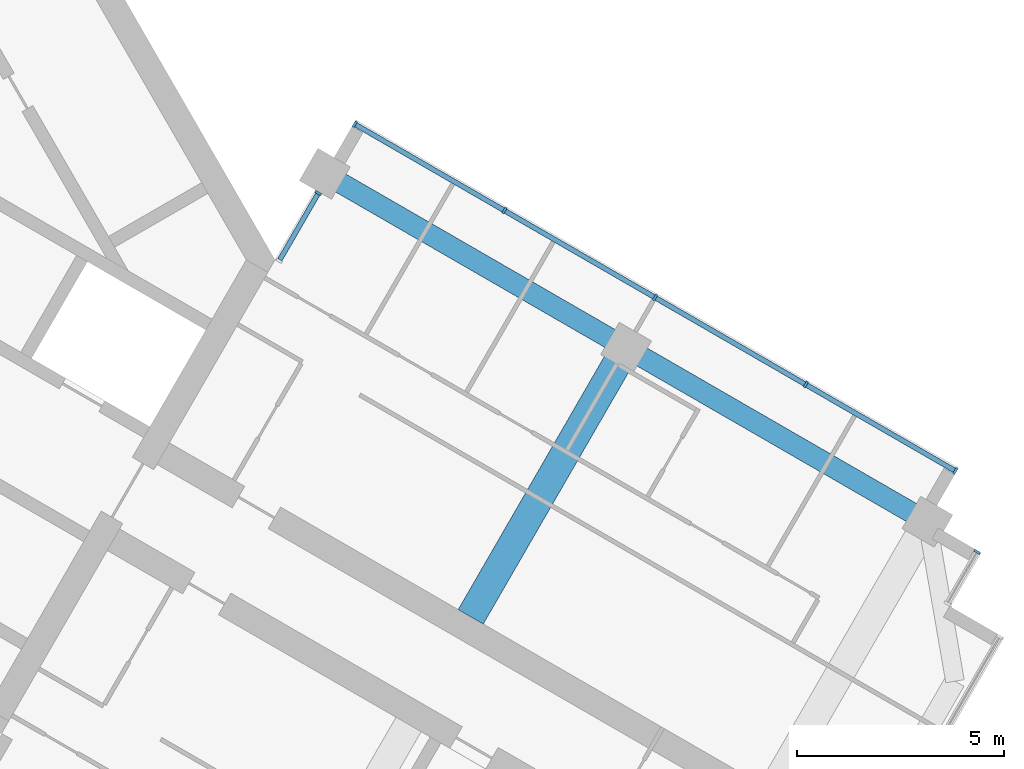
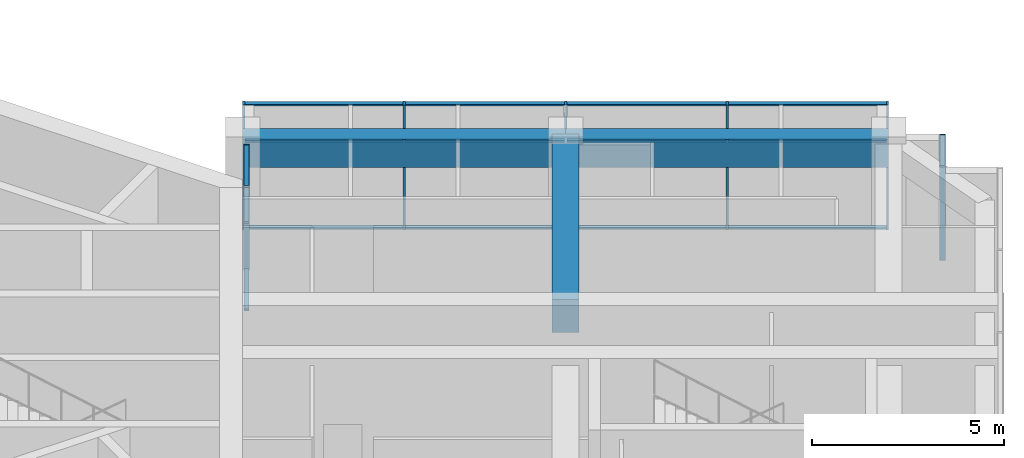
# One storey, part 5 of 13: 22 members, 3 beams, 3 elements without a shape of their own.
"""IFC4 building model written with IfcOpenShell, lengths in metres."""

from ifc_helpers import new_model, si_unit, direction, frame, origin, origin_2d, place, context, subcontext, project, spatial, rectangle, extrude, material, material_profile, profile_set, type_object, element, aggregate, save


model = new_model("IFC4")

# Units and contexts
model_context = context("Model", 3, precision=1e-05, world=origin(), true_north=direction((0.0, 1.0)))
body_context = subcontext(model_context, "Body", "Model", "MODEL_VIEW")
ifc_project = project(units=[si_unit("LENGTHUNIT", "METRE"), si_unit("AREAUNIT", "SQUARE_METRE"), si_unit("VOLUMEUNIT", "CUBIC_METRE"), si_unit("PLANEANGLEUNIT", "RADIAN"), si_unit("MASSUNIT", "GRAM", prefix="KILO")], contexts=[model_context])

# Site, building, storey
site_placement = place(None, origin())
site = spatial("IfcSite", under=ifc_project, at=site_placement, CompositionType="ELEMENT")
building_placement = place(site_placement, origin())
building = spatial("IfcBuilding", under=site, at=building_placement, Name="Impinga Residences", CompositionType="ELEMENT")
storey_placement = place(building_placement, frame((0.0, 0.0, 283.14990234375)))
storey = spatial("IfcBuildingStorey", under=building, at=storey_placement, Name="L71", CompositionType="ELEMENT", Elevation=283.14990234375)

# Beam
ifc_material_1 = material(Name="Concrete C60/75", Category="concrete")
ifc_material_profile_1 = material_profile(ifc_material_1, rectangle(XDim=0.699951171875, YDim=1.050048828125, at=origin_2d()), Name="RC 700x1050")
ifc_profile_set_1 = profile_set([ifc_material_profile_1], Name="Concrete C60/75")
beam_type_1 = type_object("IfcBeamType", Name="CG1 700x1050 cross girder on a wing bay line", PredefinedType="BEAM", material=ifc_profile_set_1)
beam_placement = place(storey_placement, frame((17.924560546875, -8.61669921875, 3.455078125), z_axis=(0.500004234368, 0.866022959057, 0.0), x_axis=(-0.866022959057, 0.500004234368, 0.0)))
element("IfcBeam", 1, at=beam_placement, inside=storey, type_object=beam_type_1, Name="Beam CG1 E2 EC/EA level L72", PredefinedType="BEAM", context=body_context, shape_type="SweptSolid", body=[
    extrude(rectangle(XDim=0.699951171875, YDim=1.050048828125, at=origin_2d()), origin(), (0.0, 0.0, 1.0), 7.5),
])

# Curtain wall, member
ifc_material_2 = material(Name="Aluminium stick curtain wall", Category="aluminium")
curtain_wall_type = type_object("IfcCurtainWallType", Name="CW3 penthouse curtain wall", PredefinedType="USERDEFINED", material=ifc_material_2)
curtain_wall_1_placement = place(storey_placement, origin())
curtain_wall_1 = element("IfcCurtainWall", 2, at=curtain_wall_1_placement, inside=storey, type_object=curtain_wall_type, Name="Curtain wall CW3 L71", ObjectType="STICK CURTAIN WALL", PredefinedType="USERDEFINED")
ifc_material_3 = material(Name="Aluminium mullion", Category="aluminium")
ifc_material_profile_2 = material_profile(ifc_material_3, rectangle(XDim=0.06005859375, YDim=0.159912109375, at=origin_2d()), Name="60x160 mullion")
ifc_profile_set_2 = profile_set([ifc_material_profile_2], Name="Aluminium mullion")
member_type_1 = type_object("IfcMemberType", Name="CW3-M mullion 60x160", PredefinedType="MULLION", material=ifc_profile_set_2)
member_1_placement = place(storey_placement, frame((30.146728515625, -7.047607421875, 0.0), z_axis=(0.0, 0.0, 1.0), x_axis=(-0.500000030502, -0.866025386174, 0.0)))
member_1 = element("IfcMember", 3, at=member_1_placement, type_object=member_type_1, Name="CW3 mullion 1", PredefinedType="MULLION", context=body_context, shape_type="SweptSolid", body=[
    extrude(rectangle(XDim=0.06005859375, YDim=0.159912109375, at=origin_2d()), origin(), (0.0, 0.0, 1.0), 3.97998046875),
])
aggregate(curtain_wall_1, [member_1])

curtain_wall_2_placement = place(storey_placement, origin())
curtain_wall_2 = element("IfcCurtainWall", 4, at=curtain_wall_2_placement, inside=storey, type_object=curtain_wall_type, Name="Curtain wall CW3 L71", ObjectType="STICK CURTAIN WALL", PredefinedType="USERDEFINED")
member_2_placement = place(storey_placement, frame((14.2451171875, 1.610107421875, 0.0), z_axis=(0.0, 0.0, 1.0), x_axis=(0.50000010257, 0.866025344565, 0.0)))
member_2 = element("IfcMember", 5, at=member_2_placement, type_object=member_type_1, Name="CW3 mullion 2", PredefinedType="MULLION", context=body_context, shape_type="SweptSolid", body=[
    extrude(rectangle(XDim=0.06005859375, YDim=0.159912109375, at=origin_2d()), origin(), (0.0, 0.0, 1.0), 3.97998046875),
])

# Curtain wall, members
curtain_wall_3_placement = place(storey_placement, origin())
curtain_wall_3 = element("IfcCurtainWall", 6, at=curtain_wall_3_placement, inside=storey, type_object=curtain_wall_type, Name="Curtain wall CW3 L71", ObjectType="STICK CURTAIN WALL", PredefinedType="USERDEFINED")
member_3_placement = place(storey_placement, frame((15.1259765625, 3.27587890625, 0.0), z_axis=(0.0, 0.0, 1.0), x_axis=(0.866025407005, -0.499999994423, 0.0)))
member_3 = element("IfcMember", 7, at=member_3_placement, type_object=member_type_1, Name="CW3 mullion 1", PredefinedType="MULLION", context=body_context, shape_type="SweptSolid", body=[
    extrude(rectangle(XDim=0.06005859375, YDim=0.159912109375, at=origin_2d()), origin(), (0.0, 0.0, 1.0), 3.97998046875),
])
member_4_placement = place(storey_placement, frame((18.7373046875, 1.19091796875, 0.0), z_axis=(0.0, 0.0, 1.0), x_axis=(0.866025407005, -0.499999994423, 0.0)))
member_4 = element("IfcMember", 8, at=member_4_placement, type_object=member_type_1, Name="CW3 mullion 2", PredefinedType="MULLION", context=body_context, shape_type="SweptSolid", body=[
    extrude(rectangle(XDim=0.06005859375, YDim=0.159912109375, at=origin_2d()), origin(), (0.0, 0.0, 1.0), 3.97998046875),
])
member_5_placement = place(storey_placement, frame((22.37451171875, -0.9091796875, 0.0), z_axis=(0.0, 0.0, 1.0), x_axis=(0.866025407005, -0.499999994423, 0.0)))
member_5 = element("IfcMember", 9, at=member_5_placement, type_object=member_type_1, Name="CW3 mullion 3", PredefinedType="MULLION", context=body_context, shape_type="SweptSolid", body=[
    extrude(rectangle(XDim=0.06005859375, YDim=0.159912109375, at=origin_2d()), origin(), (0.0, 0.0, 1.0), 3.97998046875),
])
member_6_placement = place(storey_placement, frame((26.011962890625, -3.009033203125, 0.0), z_axis=(0.0, 0.0, 1.0), x_axis=(0.866025407005, -0.499999994423, 0.0)))
member_6 = element("IfcMember", 10, at=member_6_placement, type_object=member_type_1, Name="CW3 mullion 4", PredefinedType="MULLION", context=body_context, shape_type="SweptSolid", body=[
    extrude(rectangle(XDim=0.06005859375, YDim=0.159912109375, at=origin_2d()), origin(), (0.0, 0.0, 1.0), 3.97998046875),
])
member_7_placement = place(storey_placement, frame((29.623291015625, -5.093994140625, 0.0), z_axis=(0.0, 0.0, 1.0), x_axis=(0.866025407005, -0.499999994423, 0.0)))
member_7 = element("IfcMember", 11, at=member_7_placement, type_object=member_type_1, Name="CW3 mullion 5", PredefinedType="MULLION", context=body_context, shape_type="SweptSolid", body=[
    extrude(rectangle(XDim=0.06005859375, YDim=0.159912109375, at=origin_2d()), origin(), (0.0, 0.0, 1.0), 3.97998046875),
])

# Member
ifc_material_4 = material(Name="Aluminium transom", Category="aluminium")
ifc_material_profile_3 = material_profile(ifc_material_4, rectangle(XDim=0.06005859375, YDim=0.1201171875, at=origin_2d()), Name="60x120 transom")
ifc_profile_set_3 = profile_set([ifc_material_profile_3], Name="Aluminium transom")
member_type_2 = type_object("IfcMemberType", Name="CW3-T transom 60x120", PredefinedType="USERDEFINED", material=ifc_profile_set_3)
member_8_placement = place(storey_placement, frame((13.316650390625, 0.001953125, 0.030029296875), z_axis=(0.500019332402, 0.866014241929, 0.0), x_axis=(0.0, 0.0, 1.0)))
member_8 = element("IfcMember", 12, at=member_8_placement, type_object=member_type_2, Name="CW3 transom 1.1", ObjectType="TRANSOM", PredefinedType="USERDEFINED", context=body_context, shape_type="SweptSolid", body=[
    extrude(rectangle(XDim=0.06005859375, YDim=0.1201171875, at=origin_2d()), origin(), (0.0, 0.0, 1.0), 1.8271484375),
])

member_9_placement = place(storey_placement, frame((13.316650390625, 0.001953125, 2.800048828125), z_axis=(0.500019332402, 0.866014241929, 0.0), x_axis=(0.0, 0.0, 1.0)))
member_9 = element("IfcMember", 13, at=member_9_placement, type_object=member_type_2, Name="CW3 transom 1.2", ObjectType="TRANSOM", PredefinedType="USERDEFINED", context=body_context, shape_type="SweptSolid", body=[
    extrude(rectangle(XDim=0.06005859375, YDim=0.1201171875, at=origin_2d()), origin(), (0.0, 0.0, 1.0), 1.8271484375),
])

member_10_placement = place(storey_placement, frame((13.316650390625, 0.001953125, 3.9501953125), z_axis=(0.500019332402, 0.866014241929, 0.0), x_axis=(0.0, 0.0, 1.0)))
member_10 = element("IfcMember", 14, at=member_10_placement, type_object=member_type_2, Name="CW3 transom 1.3", ObjectType="TRANSOM", PredefinedType="USERDEFINED", context=body_context, shape_type="SweptSolid", body=[
    extrude(rectangle(XDim=0.06005859375, YDim=0.1201171875, at=origin_2d()), origin(), (0.0, 0.0, 1.0), 1.8271484375),
])

aggregate(curtain_wall_2, [member_2, member_8, member_9, member_10])

member_11_placement = place(storey_placement, frame((15.15185546875, 3.260986328125, 0.030029296875), z_axis=(0.866019409031, -0.500010383074, 0.0), x_axis=(0.0, 0.0, 1.0)))
member_11 = element("IfcMember", 15, at=member_11_placement, type_object=member_type_2, Name="CW3 transom 1.1", ObjectType="TRANSOM", PredefinedType="USERDEFINED", context=body_context, shape_type="SweptSolid", body=[
    extrude(rectangle(XDim=0.06005859375, YDim=0.1201171875, at=origin_2d()), origin(), (0.0, 0.0, 1.0), 4.1103515625),
])

member_12_placement = place(storey_placement, frame((15.15185546875, 3.260986328125, 2.800048828125), z_axis=(0.866019409031, -0.500010383074, 0.0), x_axis=(0.0, 0.0, 1.0)))
member_12 = element("IfcMember", 16, at=member_12_placement, type_object=member_type_2, Name="CW3 transom 1.2", ObjectType="TRANSOM", PredefinedType="USERDEFINED", context=body_context, shape_type="SweptSolid", body=[
    extrude(rectangle(XDim=0.06005859375, YDim=0.1201171875, at=origin_2d()), origin(), (0.0, 0.0, 1.0), 4.1103515625),
])

member_13_placement = place(storey_placement, frame((15.15185546875, 3.260986328125, 3.9501953125), z_axis=(0.866019409031, -0.500010383074, 0.0), x_axis=(0.0, 0.0, 1.0)))
member_13 = element("IfcMember", 17, at=member_13_placement, type_object=member_type_2, Name="CW3 transom 1.3", ObjectType="TRANSOM", PredefinedType="USERDEFINED", context=body_context, shape_type="SweptSolid", body=[
    extrude(rectangle(XDim=0.06005859375, YDim=0.1201171875, at=origin_2d()), origin(), (0.0, 0.0, 1.0), 4.1103515625),
])

member_14_placement = place(storey_placement, frame((18.76318359375, 1.17578125, 0.030029296875), z_axis=(0.866050071143, -0.499957272447, 0.0), x_axis=(0.0, 0.0, 1.0)))
member_14 = element("IfcMember", 18, at=member_14_placement, type_object=member_type_2, Name="CW3 transom 2.1", ObjectType="TRANSOM", PredefinedType="USERDEFINED", context=body_context, shape_type="SweptSolid", body=[
    extrude(rectangle(XDim=0.06005859375, YDim=0.1201171875, at=origin_2d()), origin(), (0.0, 0.0, 1.0), 4.139892578125),
])

member_15_placement = place(storey_placement, frame((18.76318359375, 1.17578125, 2.800048828125), z_axis=(0.866050071143, -0.499957272447, 0.0), x_axis=(0.0, 0.0, 1.0)))
member_15 = element("IfcMember", 19, at=member_15_placement, type_object=member_type_2, Name="CW3 transom 2.2", ObjectType="TRANSOM", PredefinedType="USERDEFINED", context=body_context, shape_type="SweptSolid", body=[
    extrude(rectangle(XDim=0.06005859375, YDim=0.1201171875, at=origin_2d()), origin(), (0.0, 0.0, 1.0), 4.139892578125),
])

member_16_placement = place(storey_placement, frame((18.76318359375, 1.17578125, 3.9501953125), z_axis=(0.866050071143, -0.499957272447, 0.0), x_axis=(0.0, 0.0, 1.0)))
member_16 = element("IfcMember", 20, at=member_16_placement, type_object=member_type_2, Name="CW3 transom 2.3", ObjectType="TRANSOM", PredefinedType="USERDEFINED", context=body_context, shape_type="SweptSolid", body=[
    extrude(rectangle(XDim=0.06005859375, YDim=0.1201171875, at=origin_2d()), origin(), (0.0, 0.0, 1.0), 4.139892578125),
])

member_17_placement = place(storey_placement, frame((22.400634765625, -0.924072265625, 0.030029296875), z_axis=(0.866009793405, -0.500027036996, 0.0), x_axis=(0.0, 0.0, 1.0)))
member_17 = element("IfcMember", 21, at=member_17_placement, type_object=member_type_2, Name="CW3 transom 3.1", ObjectType="TRANSOM", PredefinedType="USERDEFINED", context=body_context, shape_type="SweptSolid", body=[
    extrude(rectangle(XDim=0.06005859375, YDim=0.1201171875, at=origin_2d()), origin(), (0.0, 0.0, 1.0), 4.139892578125),
])

member_18_placement = place(storey_placement, frame((22.400634765625, -0.924072265625, 2.800048828125), z_axis=(0.866009793405, -0.500027036996, 0.0), x_axis=(0.0, 0.0, 1.0)))
member_18 = element("IfcMember", 22, at=member_18_placement, type_object=member_type_2, Name="CW3 transom 3.2", ObjectType="TRANSOM", PredefinedType="USERDEFINED", context=body_context, shape_type="SweptSolid", body=[
    extrude(rectangle(XDim=0.06005859375, YDim=0.1201171875, at=origin_2d()), origin(), (0.0, 0.0, 1.0), 4.139892578125),
])

member_19_placement = place(storey_placement, frame((22.400634765625, -0.924072265625, 3.9501953125), z_axis=(0.866009793405, -0.500027036996, 0.0), x_axis=(0.0, 0.0, 1.0)))
member_19 = element("IfcMember", 23, at=member_19_placement, type_object=member_type_2, Name="CW3 transom 3.3", ObjectType="TRANSOM", PredefinedType="USERDEFINED", context=body_context, shape_type="SweptSolid", body=[
    extrude(rectangle(XDim=0.06005859375, YDim=0.1201171875, at=origin_2d()), origin(), (0.0, 0.0, 1.0), 4.139892578125),
])

member_20_placement = place(storey_placement, frame((26.037841796875, -3.024169921875, 0.030029296875), z_axis=(0.866030279993, -0.499991554064, 0.0), x_axis=(0.0, 0.0, 1.0)))
member_20 = element("IfcMember", 24, at=member_20_placement, type_object=member_type_2, Name="CW3 transom 4.1", ObjectType="TRANSOM", PredefinedType="USERDEFINED", context=body_context, shape_type="SweptSolid", body=[
    extrude(rectangle(XDim=0.06005859375, YDim=0.1201171875, at=origin_2d()), origin(), (0.0, 0.0, 1.0), 4.10986328125),
])

member_21_placement = place(storey_placement, frame((26.037841796875, -3.024169921875, 2.800048828125), z_axis=(0.866030279993, -0.499991554064, 0.0), x_axis=(0.0, 0.0, 1.0)))
member_21 = element("IfcMember", 25, at=member_21_placement, type_object=member_type_2, Name="CW3 transom 4.2", ObjectType="TRANSOM", PredefinedType="USERDEFINED", context=body_context, shape_type="SweptSolid", body=[
    extrude(rectangle(XDim=0.06005859375, YDim=0.1201171875, at=origin_2d()), origin(), (0.0, 0.0, 1.0), 4.10986328125),
])

member_22_placement = place(storey_placement, frame((26.037841796875, -3.024169921875, 3.9501953125), z_axis=(0.866030279993, -0.499991554064, 0.0), x_axis=(0.0, 0.0, 1.0)))
member_22 = element("IfcMember", 26, at=member_22_placement, type_object=member_type_2, Name="CW3 transom 4.3", ObjectType="TRANSOM", PredefinedType="USERDEFINED", context=body_context, shape_type="SweptSolid", body=[
    extrude(rectangle(XDim=0.06005859375, YDim=0.1201171875, at=origin_2d()), origin(), (0.0, 0.0, 1.0), 4.10986328125),
])

aggregate(curtain_wall_3, [member_3, member_4, member_5, member_6, member_7, member_11, member_12, member_13, member_14, member_15, member_16, member_17, member_18, member_19, member_20, member_21, member_22])

# Beams
ifc_material_profile_4 = material_profile(ifc_material_1, rectangle(XDim=0.5, YDim=0.89990234375, at=origin_2d()), Name="RC 500x900")
ifc_profile_set_4 = profile_set([ifc_material_profile_4], Name="Concrete C60/75")
beam_type_2 = type_object("IfcBeamType", Name="SB1 500x900 perimeter spandrel beam", PredefinedType="SPANDREL", material=ifc_profile_set_4)
for number, where, z_axis, x_axis, name in (
    (27, (14.39990234375, 2.078369140625, 3.530029296875), (0.86602925447, -0.499993330357, 0.0), (0.499993330357, 0.86602925447, 0.0), "Beam SB1 EA E1-E2 level L72"),
    (28, (21.674560546875, -2.12158203125, 3.530029296875), (0.86602925447, -0.499993330357, 0.0), (0.499993330357, 0.86602925447, 0.0), "Beam SB1 EA E2-E3 level L72"),
):
    element("IfcBeam", number, at=place(storey_placement, frame(where, z_axis=z_axis, x_axis=x_axis)), inside=storey, type_object=beam_type_2, Name=name, PredefinedType="SPANDREL", context=body_context, shape_type="SweptSolid", body=[
        extrude(rectangle(XDim=0.5, YDim=0.89990234375, at=origin_2d()), origin(), (0.0, 0.0, 1.0), 8.39990234375),
    ])

save(model, "model.ifc")
